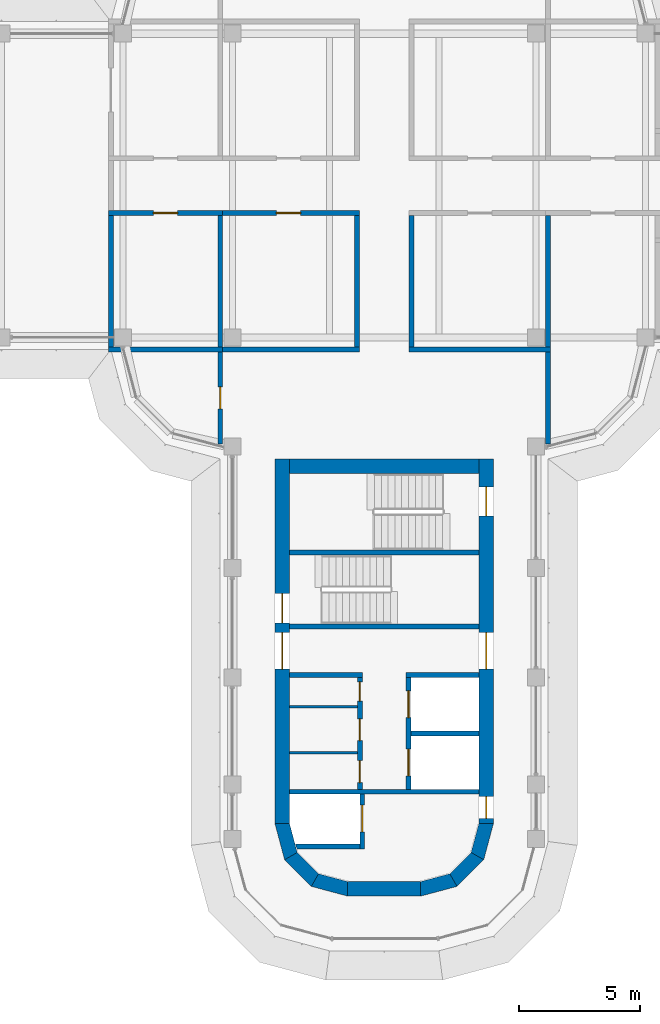
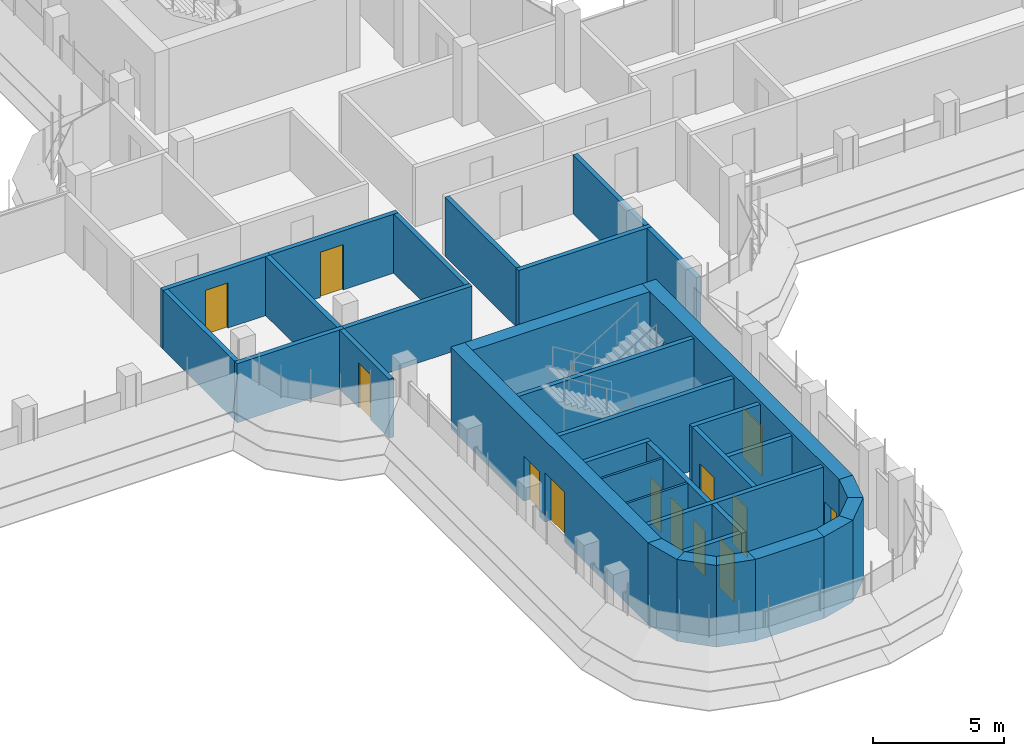
# One storey, part 13 of 19: 34 walls, 14 doors, 14 openings.
"""IFC4 building model written with IfcOpenShell, lengths in metres."""

from ifc_helpers import new_model, si_unit, direction, frame, frame_2d, origin, place, context, subcontext, project, spatial, polyline, rectangle, outline, extrude, material, layer, layer_set, type_object, element, fill, save


model = new_model("IFC4")

# Units and contexts
model_context = context("Model", 3, precision=1e-05, world=origin(), true_north=direction((0.0, 1.0)))
body_context = subcontext(model_context, "Body", "Model", "MODEL_VIEW")
ifc_project = project(units=[si_unit("LENGTHUNIT", "METRE"), si_unit("AREAUNIT", "SQUARE_METRE"), si_unit("VOLUMEUNIT", "CUBIC_METRE"), si_unit("PLANEANGLEUNIT", "RADIAN"), si_unit("MASSUNIT", "GRAM", prefix="KILO")], contexts=[model_context])

# Site, building, storey
site_placement = place(None, origin())
site = spatial("IfcSite", under=ifc_project, at=site_placement, CompositionType="ELEMENT")
building_placement = place(site_placement, origin())
building = spatial("IfcBuilding", under=site, at=building_placement, Name="Zarbagh Exchange Tower", CompositionType="ELEMENT")
storey_placement = place(building_placement, frame((0.0, 0.0, 237.199951171875)))
storey = spatial("IfcBuildingStorey", under=building, at=storey_placement, Name="L58", CompositionType="ELEMENT", Elevation=237.199951171875)

# Walls
ifc_material_1 = material(Name="Dense blockwork", Category="masonry")
ifc_layer_1 = layer(ifc_material_1, 0.10009765625)
ifc_layer_set_1 = layer_set([ifc_layer_1], Name="Core partition 100 mm blockwork")
wall_type_1 = type_object("IfcWallType", Name="Core partition 100 mm blockwork", PredefinedType="PARTITIONING", material=ifc_layer_set_1)
for number, where, z_axis, x_axis, name in (
    (1, (-1.10009765625, -23.35009765625, 0.0), (0.0, 0.0, 1.0), (-1.0, 0.0, 0.0), "South core partition wall CUT-E-500"),
    (2, (-1.10009765625, -21.449951171875, 0.0), (0.0, 0.0, 1.0), (-1.0, 0.0, 0.0), "South core partition wall CUT-E-690"),
):
    element("IfcWall", number, at=place(storey_placement, frame(where, z_axis=z_axis, x_axis=x_axis)), inside=storey, type_object=wall_type_1, Name=name, PredefinedType="PARTITIONING", context=body_context, shape_type="SweptSolid", body=[
        extrude(rectangle(XDim=2.7998046875, YDim=0.10009765625, at=frame_2d((1.39990234375, 0.0))), origin(), (0.0, 0.0, 1.0), 3.650146484375),
    ])

# Wall, opening, door
ifc_material_2 = material(Name="Fire-rated plasterboard partition")
ifc_layer_2 = layer(ifc_material_2, 0.199951171875)
ifc_layer_set_2 = layer_set([ifc_layer_2], Name="RATED PARTITION 200")
wall_type_2 = type_object("IfcWallType", Name="RATED PARTITION 200", PredefinedType="PARTITIONING", material=ifc_layer_set_2)
wall_1_placement = place(storey_placement, frame((-1.02490234375, -1.125, 0.0), z_axis=(0.0, 0.0, 1.0), x_axis=(-1.0, 0.0, 0.0)))
wall_1 = element("IfcWall", 3, at=wall_1_placement, inside=storey, type_object=wall_type_2, Name="Partition W-2507", PredefinedType="PARTITIONING", context=body_context, shape_type="SweptSolid", body=[
    extrude(rectangle(XDim=5.8251953125, YDim=0.199951171875, at=frame_2d((2.91259765625, 0.0))), origin(), (0.0, 0.0, 1.0), 2.745849609375),
])
opening_1_placement = place(wall_1_placement, frame((2.41259765625, 0.0, 0.0)))
opening_1 = element("IfcOpeningElement", 4, at=opening_1_placement, cuts=wall_1, Name="Opening D-2512", PredefinedType="OPENING", context=body_context, shape_type="SweptSolid", body=[
    extrude(rectangle(XDim=1.0, YDim=2.10009765625, at=frame_2d((0.5, 1.050048828125))), frame((0.0, 0.10986328125, 0.0), z_axis=(0.0, -1.0, 0.0), x_axis=(1.0, 0.0, 0.0)), (0.0, 0.0, 1.0), 0.219970703125),
])
ifc_material_3 = material(Name="Steel door set", Category="steel")
door_type_1 = type_object("IfcDoorType", Name="FIRE DOOR 1000 X 2100 FD30S", OperationType="NOTDEFINED", PredefinedType="DOOR", material=ifc_material_3)
door_1_placement = place(opening_1_placement, origin())
door_1 = element("IfcDoor", 5, at=door_1_placement, inside=storey, type_object=door_type_1, Name="Door D-2512", OperationType="SINGLE_SWING_RIGHT", OverallHeight=2.10009765625, OverallWidth=1.0, PredefinedType="DOOR", context=body_context, shape_type="SweptSolid", body=[
    extrude(rectangle(XDim=1.0, YDim=2.10009765625, at=frame_2d((0.5, 1.050048828125))), frame((0.0, 0.02490234375, 0.0), z_axis=(0.0, -1.0, 0.0), x_axis=(1.0, 0.0, 0.0)), (0.0, 0.0, 1.0), 0.050048828125),
])
fill(opening_1, door_1)

wall_2_placement = place(storey_placement, frame((-6.64990234375, -1.125, 0.0), z_axis=(0.0, 0.0, 1.0), x_axis=(-1.0, 0.0, 0.0)))
wall_2 = element("IfcWall", 6, at=wall_2_placement, inside=storey, type_object=wall_type_2, Name="Partition W-2508", PredefinedType="PARTITIONING", context=body_context, shape_type="SweptSolid", body=[
    extrude(rectangle(XDim=4.7001953125, YDim=0.199951171875, at=frame_2d((2.35009765625, 0.0))), origin(), (0.0, 0.0, 1.0), 2.745849609375),
])
opening_2_placement = place(wall_2_placement, frame((1.85009765625, 0.0, 0.0)))
opening_2 = element("IfcOpeningElement", 7, at=opening_2_placement, cuts=wall_2, Name="Opening D-2513", PredefinedType="OPENING", context=body_context, shape_type="SweptSolid", body=[
    extrude(rectangle(XDim=1.0, YDim=2.10009765625, at=frame_2d((0.5, 1.050048828125))), frame((0.0, 0.10986328125, 0.0), z_axis=(0.0, -1.0, 0.0), x_axis=(1.0, 0.0, 0.0)), (0.0, 0.0, 1.0), 0.219970703125),
])
door_2_placement = place(opening_2_placement, origin())
door_2 = element("IfcDoor", 8, at=door_2_placement, inside=storey, type_object=door_type_1, Name="Door D-2513", OperationType="SINGLE_SWING_RIGHT", OverallHeight=2.10009765625, OverallWidth=1.0, PredefinedType="DOOR", context=body_context, shape_type="SweptSolid", body=[
    extrude(rectangle(XDim=1.0, YDim=2.10009765625, at=frame_2d((0.5, 1.050048828125))), frame((0.0, 0.02490234375, 0.0), z_axis=(0.0, -1.0, 0.0), x_axis=(1.0, 0.0, 0.0)), (0.0, 0.0, 1.0), 0.050048828125),
])
fill(opening_2, door_2)

# Walls
for number, where, z_axis, x_axis, name in (
    (9, (1.125, -6.64990234375, 0.0), (0.0, 0.0, 1.0), (0.0, 1.0, 0.0), "Partition W-2512"),
    (10, (-1.125, -6.64990234375, 0.0), (0.0, 0.0, 1.0), (0.0, 1.0, 0.0), "Partition W-2513"),
):
    element("IfcWall", number, at=place(storey_placement, frame(where, z_axis=z_axis, x_axis=x_axis)), inside=storey, type_object=wall_type_2, Name=name, PredefinedType="PARTITIONING", context=body_context, shape_type="SweptSolid", body=[
        extrude(rectangle(XDim=5.4248046875, YDim=0.199951171875, at=frame_2d((2.71240234375, 0.0))), origin(), (0.0, 0.0, 1.0), 2.745849609375),
    ])
wall_3_placement = place(storey_placement, frame((1.02490234375, -6.75, 0.0), z_axis=(0.0, 0.0, 1.0), x_axis=(1.0, 0.0, 0.0)))
element("IfcWall", 11, at=wall_3_placement, inside=storey, type_object=wall_type_2, Name="Partition W-2518", PredefinedType="PARTITIONING", context=body_context, shape_type="SweptSolid", body=[
    extrude(rectangle(XDim=5.8251953125, YDim=0.199951171875, at=frame_2d((2.91259765625, 0.0))), origin(), (0.0, 0.0, 1.0), 2.745849609375),
])
wall_4_placement = place(storey_placement, frame((6.75, -10.6298828125, 0.0), z_axis=(0.0, 0.0, 1.0), x_axis=(0.0, 1.0, 0.0)))
element("IfcWall", 12, at=wall_4_placement, inside=storey, type_object=wall_type_2, Name="Partition W-2519", PredefinedType="PARTITIONING", context=body_context, shape_type="SweptSolid", body=[
    extrude(rectangle(XDim=3.77978515625, YDim=0.199951171875, at=frame_2d((1.889892578125, 0.0))), origin(), (0.0, 0.0, 1.0), 2.745849609375),
])
wall_5_placement = place(storey_placement, frame((-6.85009765625, -6.75, 0.0), z_axis=(0.0, 0.0, 1.0), x_axis=(1.0, 0.0, 0.0)))
element("IfcWall", 13, at=wall_5_placement, inside=storey, type_object=wall_type_2, Name="Partition W-2520", PredefinedType="PARTITIONING", context=body_context, shape_type="SweptSolid", body=[
    extrude(rectangle(XDim=5.8251953125, YDim=0.199951171875, at=frame_2d((2.91259765625, 0.0))), origin(), (0.0, 0.0, 1.0), 2.745849609375),
])

# Wall, opening, door
wall_6_placement = place(storey_placement, frame((-6.75, -10.6298828125, 0.0), z_axis=(0.0, 0.0, 1.0), x_axis=(0.0, 1.0, 0.0)))
wall_6 = element("IfcWall", 14, at=wall_6_placement, inside=storey, type_object=wall_type_2, Name="Partition W-2521", PredefinedType="PARTITIONING", context=body_context, shape_type="SweptSolid", body=[
    extrude(rectangle(XDim=3.77978515625, YDim=0.199951171875, at=frame_2d((1.889892578125, 0.0))), origin(), (0.0, 0.0, 1.0), 2.745849609375),
])
opening_3_placement = place(wall_6_placement, frame((1.43994140625, 0.0, 0.0)))
opening_3 = element("IfcOpeningElement", 15, at=opening_3_placement, cuts=wall_6, Name="Opening D-2514", PredefinedType="OPENING", context=body_context, shape_type="SweptSolid", body=[
    extrude(rectangle(XDim=0.89990234375, YDim=2.10009765625, at=frame_2d((0.449951171875, 1.050048828125))), frame((0.0, 0.10986328125, 0.0), z_axis=(0.0, -1.0, 0.0), x_axis=(1.0, 0.0, 0.0)), (0.0, 0.0, 1.0), 0.219970703125),
])
ifc_material_4 = material(Name="Timber door leaf", Category="wood")
door_type_2 = type_object("IfcDoorType", Name="DOOR 900 X 2100", OperationType="NOTDEFINED", PredefinedType="DOOR", material=ifc_material_4)
door_3_placement = place(opening_3_placement, origin())
door_3 = element("IfcDoor", 16, at=door_3_placement, inside=storey, type_object=door_type_2, Name="Door D-2514", OperationType="SINGLE_SWING_RIGHT", OverallHeight=2.10009765625, OverallWidth=0.89990234375, PredefinedType="DOOR", context=body_context, shape_type="SweptSolid", body=[
    extrude(rectangle(XDim=0.89990234375, YDim=2.10009765625, at=frame_2d((0.449951171875, 1.050048828125))), frame((0.0, 0.02490234375, 0.0), z_axis=(0.0, -1.0, 0.0), x_axis=(1.0, 0.0, 0.0)), (0.0, 0.0, 1.0), 0.050048828125),
])
fill(opening_3, door_3)

# Walls
for number, where, z_axis, x_axis, name in (
    (17, (6.75, -6.64990234375, 0.0), (0.0, 0.0, 1.0), (0.0, 1.0, 0.0), "Partition W-2529"),
    (18, (-6.75, -6.64990234375, 0.0), (0.0, 0.0, 1.0), (0.0, 1.0, 0.0), "Partition W-2532"),
):
    element("IfcWall", number, at=place(storey_placement, frame(where, z_axis=z_axis, x_axis=x_axis)), inside=storey, type_object=wall_type_2, Name=name, PredefinedType="PARTITIONING", context=body_context, shape_type="SweptSolid", body=[
        extrude(rectangle(XDim=5.4248046875, YDim=0.199951171875, at=frame_2d((2.71240234375, 0.0))), origin(), (0.0, 0.0, 1.0), 2.745849609375),
    ])
wall_7_placement = place(storey_placement, frame((-11.35009765625, -6.75, 0.0), z_axis=(0.0, 0.0, 1.0), x_axis=(1.0, 0.0, 0.0)))
element("IfcWall", 19, at=wall_7_placement, inside=storey, type_object=wall_type_2, Name="Partition W-2533", PredefinedType="PARTITIONING", context=body_context, shape_type="SweptSolid", body=[
    extrude(rectangle(XDim=4.7001953125, YDim=0.199951171875, at=frame_2d((2.35009765625, 0.0))), origin(), (0.0, 0.0, 1.0), 2.745849609375),
])
wall_8_placement = place(storey_placement, frame((-11.25, -6.64990234375, 0.0), z_axis=(0.0, 0.0, 1.0), x_axis=(0.0, 1.0, 0.0)))
element("IfcWall", 20, at=wall_8_placement, inside=storey, type_object=wall_type_2, Name="Partition W-2534", PredefinedType="PARTITIONING", context=body_context, shape_type="SweptSolid", body=[
    extrude(rectangle(XDim=5.4248046875, YDim=0.199951171875, at=frame_2d((2.71240234375, 0.0))), origin(), (0.0, 0.0, 1.0), 2.745849609375),
])
ifc_material_5 = material(Name="Concrete C50/60", Category="concrete")
ifc_layer_3 = layer(ifc_material_5, 0.60009765625)
ifc_layer_set_3 = layer_set([ifc_layer_3], Name="RC core corner wall 600 C50/60")
wall_type_3 = type_object("IfcWallType", Name="RC core corner wall 600 C50/60", PredefinedType="SHEAR", material=ifc_layer_set_3)
wall_9_placement = place(storey_placement, origin())
element("IfcWall", 21, at=wall_9_placement, inside=storey, type_object=wall_type_3, Name="CW8 core S corner W", PredefinedType="SHEAR", context=body_context, shape_type="SweptSolid", body=[
    extrude(outline(polyline([(-4.5, -26.25), (-4.09814453125, -27.75), (-3.57861328125, -27.449951171875), (-3.89990234375, -26.25), (-4.5, -26.25)])), origin(), (0.0, 0.0, 1.0), 3.800048828125),
])
wall_10_placement = place(storey_placement, origin())
element("IfcWall", 22, at=wall_10_placement, inside=storey, type_object=wall_type_3, Name="CW8 core S corner W", PredefinedType="SHEAR", context=body_context, shape_type="SweptSolid", body=[
    extrude(outline(polyline([(-4.09814453125, -27.75), (-3.0, -28.84814453125), (-2.699951171875, -28.32861328125), (-3.57861328125, -27.449951171875), (-4.09814453125, -27.75)])), origin(), (0.0, 0.0, 1.0), 3.800048828125),
])
wall_11_placement = place(storey_placement, origin())
element("IfcWall", 23, at=wall_11_placement, inside=storey, type_object=wall_type_3, Name="CW8 core S corner W", PredefinedType="SHEAR", context=body_context, shape_type="SweptSolid", body=[
    extrude(outline(polyline([(-3.0, -28.84814453125), (-1.5, -29.25), (-1.5, -28.64990234375), (-2.699951171875, -28.32861328125), (-3.0, -28.84814453125)])), origin(), (0.0, 0.0, 1.0), 3.800048828125),
])
wall_12_placement = place(storey_placement, origin())
element("IfcWall", 24, at=wall_12_placement, inside=storey, type_object=wall_type_3, Name="CW8 core S corner E", PredefinedType="SHEAR", context=body_context, shape_type="SweptSolid", body=[
    extrude(outline(polyline([(4.5, -26.25), (4.09814453125, -27.75), (3.57861328125, -27.449951171875), (3.89990234375, -26.25), (4.5, -26.25)])), origin(), (0.0, 0.0, 1.0), 3.800048828125),
])
wall_13_placement = place(storey_placement, origin())
element("IfcWall", 25, at=wall_13_placement, inside=storey, type_object=wall_type_3, Name="CW8 core S corner E", PredefinedType="SHEAR", context=body_context, shape_type="SweptSolid", body=[
    extrude(outline(polyline([(4.09814453125, -27.75), (3.0, -28.84814453125), (2.699951171875, -28.32861328125), (3.57861328125, -27.449951171875), (4.09814453125, -27.75)])), origin(), (0.0, 0.0, 1.0), 3.800048828125),
])
wall_14_placement = place(storey_placement, origin())
element("IfcWall", 26, at=wall_14_placement, inside=storey, type_object=wall_type_3, Name="CW8 core S corner E", PredefinedType="SHEAR", context=body_context, shape_type="SweptSolid", body=[
    extrude(outline(polyline([(3.0, -28.84814453125), (1.5, -29.25), (1.5, -28.64990234375), (2.699951171875, -28.32861328125), (3.0, -28.84814453125)])), origin(), (0.0, 0.0, 1.0), 3.800048828125),
])

# Wall, openings, doors
ifc_layer_4 = layer(ifc_material_5, 0.60009765625)
ifc_layer_set_4 = layer_set([ifc_layer_4], Name="RC core wall 600 C50/60")
wall_type_4 = type_object("IfcWallType", Name="RC core wall 600 C50/60", PredefinedType="SHEAR", material=ifc_layer_set_4)
wall_15_placement = place(storey_placement, frame((-4.199951171875, -11.25, 0.0), z_axis=(0.0, 0.0, 1.0), x_axis=(0.0, -1.0, 0.0)))
wall_15 = element("IfcWall", 27, at=wall_15_placement, inside=storey, type_object=wall_type_4, Name="CW7 core S W", PredefinedType="SHEAR", context=body_context, shape_type="SweptSolid", body=[
    extrude(rectangle(XDim=15.0, YDim=0.60009765625, at=frame_2d((7.5, 0.0))), origin(), (0.0, 0.0, 1.0), 3.800048828125),
])
opening_4_placement = place(wall_15_placement, frame((7.14990234375, 0.0, 0.0)))
opening_4 = element("IfcOpeningElement", 28, at=opening_4_placement, cuts=wall_15, Name="Opening CD1-1500", PredefinedType="OPENING", context=body_context, shape_type="SweptSolid", body=[
    extrude(rectangle(XDim=1.5, YDim=2.300048828125, at=frame_2d((0.75, 1.14990234375))), frame((0.0, 0.31005859375, 0.0), z_axis=(0.0, -1.0, 0.0), x_axis=(1.0, 0.0, 0.0)), (0.0, 0.0, 1.0), 0.6201171875),
])
opening_5_placement = place(wall_15_placement, frame((5.550048828125, 0.0, 0.0)))
opening_5 = element("IfcOpeningElement", 29, at=opening_5_placement, cuts=wall_15, Name="Opening SD1-1200", PredefinedType="OPENING", context=body_context, shape_type="SweptSolid", body=[
    extrude(rectangle(XDim=1.199951171875, YDim=2.10009765625, at=frame_2d((0.60009765625, 1.050048828125))), frame((0.0, 0.31005859375, 0.0), z_axis=(0.0, -1.0, 0.0), x_axis=(1.0, 0.0, 0.0)), (0.0, 0.0, 1.0), 0.6201171875),
])
ifc_material_6 = material(Name="Steel", Category="steel")
door_type_3 = type_object("IfcDoorType", Name="Exit stair door 1200 x 2100", OperationType="NOTDEFINED", PredefinedType="DOOR", material=ifc_material_6)
door_4_placement = place(opening_5_placement, origin())
door_4 = element("IfcDoor", 30, at=door_4_placement, inside=storey, type_object=door_type_3, Name="South core stair door ST1", OperationType="SINGLE_SWING_RIGHT", OverallHeight=2.10009765625, OverallWidth=1.199951171875, PredefinedType="DOOR", context=body_context, shape_type="SweptSolid", body=[
    extrude(rectangle(XDim=1.199951171875, YDim=2.10009765625, at=frame_2d((0.60009765625, 1.050048828125))), frame((0.0, 0.02490234375, 0.0), z_axis=(0.0, -1.0, 0.0), x_axis=(1.0, 0.0, 0.0)), (0.0, 0.0, 1.0), 0.050048828125),
])
fill(opening_5, door_4)
door_type_4 = type_object("IfcDoorType", Name="Lift lobby double door 1500 x 2300", OperationType="NOTDEFINED", PredefinedType="DOOR", material=ifc_material_6)
door_5_placement = place(opening_4_placement, origin())
door_5 = element("IfcDoor", 31, at=door_5_placement, inside=storey, type_object=door_type_4, Name="South core lift lobby door LOBBY-E", OperationType="DOUBLE_DOOR_SINGLE_SWING", OverallHeight=2.300048828125, OverallWidth=1.5, PredefinedType="DOOR", context=body_context, shape_type="SweptSolid", body=[
    extrude(rectangle(XDim=1.5, YDim=2.300048828125, at=frame_2d((0.75, 1.14990234375))), frame((0.0, 0.02490234375, 0.0), z_axis=(0.0, -1.0, 0.0), x_axis=(1.0, 0.0, 0.0)), (0.0, 0.0, 1.0), 0.050048828125),
])
fill(opening_4, door_5)

wall_16_placement = place(storey_placement, frame((4.199951171875, -11.25, 0.0), z_axis=(0.0, 0.0, 1.0), x_axis=(0.0, -1.0, 0.0)))
wall_16 = element("IfcWall", 32, at=wall_16_placement, inside=storey, type_object=wall_type_4, Name="CW7 core S E", PredefinedType="SHEAR", context=body_context, shape_type="SweptSolid", body=[
    extrude(rectangle(XDim=15.0, YDim=0.60009765625, at=frame_2d((7.5, 0.0))), origin(), (0.0, 0.0, 1.0), 3.800048828125),
])
opening_6_placement = place(wall_16_placement, frame((7.14990234375, 0.0, 0.0)))
opening_6 = element("IfcOpeningElement", 33, at=opening_6_placement, cuts=wall_16, Name="Opening CD1-1500", PredefinedType="OPENING", context=body_context, shape_type="SweptSolid", body=[
    extrude(rectangle(XDim=1.5, YDim=2.300048828125, at=frame_2d((0.75, 1.14990234375))), frame((0.0, 0.31005859375, 0.0), z_axis=(0.0, -1.0, 0.0), x_axis=(1.0, 0.0, 0.0)), (0.0, 0.0, 1.0), 0.6201171875),
])
opening_7_placement = place(wall_16_placement, frame((13.89990234375, 0.0, 0.0)))
opening_7 = element("IfcOpeningElement", 34, at=opening_7_placement, cuts=wall_16, Name="Opening CD2-900", PredefinedType="OPENING", context=body_context, shape_type="SweptSolid", body=[
    extrude(rectangle(XDim=0.89990234375, YDim=2.10009765625, at=frame_2d((0.449951171875, 1.050048828125))), frame((0.0, 0.31005859375, 0.0), z_axis=(0.0, -1.0, 0.0), x_axis=(1.0, 0.0, 0.0)), (0.0, 0.0, 1.0), 0.6201171875),
])
opening_8_placement = place(wall_16_placement, frame((1.14990234375, 0.0, 0.0)))
opening_8 = element("IfcOpeningElement", 35, at=opening_8_placement, cuts=wall_16, Name="Opening SD1-1200", PredefinedType="OPENING", context=body_context, shape_type="SweptSolid", body=[
    extrude(rectangle(XDim=1.199951171875, YDim=2.10009765625, at=frame_2d((0.60009765625, 1.050048828125))), frame((0.0, 0.31005859375, 0.0), z_axis=(0.0, -1.0, 0.0), x_axis=(1.0, 0.0, 0.0)), (0.0, 0.0, 1.0), 0.6201171875),
])
door_6_placement = place(opening_8_placement, origin())
door_6 = element("IfcDoor", 36, at=door_6_placement, inside=storey, type_object=door_type_3, Name="South core stair door ST2", OperationType="SINGLE_SWING_LEFT", OverallHeight=2.10009765625, OverallWidth=1.199951171875, PredefinedType="DOOR", context=body_context, shape_type="SweptSolid", body=[
    extrude(rectangle(XDim=1.199951171875, YDim=2.10009765625, at=frame_2d((0.60009765625, 1.050048828125))), frame((0.0, 0.02490234375, 0.0), z_axis=(0.0, -1.0, 0.0), x_axis=(1.0, 0.0, 0.0)), (0.0, 0.0, 1.0), 0.050048828125),
])
fill(opening_8, door_6)
door_type_5 = type_object("IfcDoorType", Name="Firefighting lobby door 900 x 2100", OperationType="NOTDEFINED", PredefinedType="DOOR", material=ifc_material_6)
door_7_placement = place(opening_7_placement, origin())
door_7 = element("IfcDoor", 37, at=door_7_placement, inside=storey, type_object=door_type_5, Name="South core firefighting lobby door FF-W", OperationType="SINGLE_SWING_RIGHT", OverallHeight=2.10009765625, OverallWidth=0.89990234375, PredefinedType="DOOR", context=body_context, shape_type="SweptSolid", body=[
    extrude(rectangle(XDim=0.89990234375, YDim=2.10009765625, at=frame_2d((0.449951171875, 1.050048828125))), frame((0.0, 0.02490234375, 0.0), z_axis=(0.0, -1.0, 0.0), x_axis=(1.0, 0.0, 0.0)), (0.0, 0.0, 1.0), 0.050048828125),
])
fill(opening_7, door_7)
door_8_placement = place(opening_6_placement, origin())
door_8 = element("IfcDoor", 38, at=door_8_placement, inside=storey, type_object=door_type_4, Name="South core lift lobby door LOBBY-W", OperationType="DOUBLE_DOOR_SINGLE_SWING", OverallHeight=2.300048828125, OverallWidth=1.5, PredefinedType="DOOR", context=body_context, shape_type="SweptSolid", body=[
    extrude(rectangle(XDim=1.5, YDim=2.300048828125, at=frame_2d((0.75, 1.14990234375))), frame((0.0, 0.02490234375, 0.0), z_axis=(0.0, -1.0, 0.0), x_axis=(1.0, 0.0, 0.0)), (0.0, 0.0, 1.0), 0.050048828125),
])
fill(opening_6, door_8)

# Walls
wall_17_placement = place(storey_placement, frame((-3.89990234375, -11.550048828125, 0.0), z_axis=(0.0, 0.0, 1.0), x_axis=(1.0, 0.0, 0.0)))
element("IfcWall", 39, at=wall_17_placement, inside=storey, type_object=wall_type_4, Name="CW7 core S inner end", PredefinedType="SHEAR", context=body_context, shape_type="SweptSolid", body=[
    extrude(rectangle(XDim=7.7998046875, YDim=0.60009765625, at=frame_2d((3.89990234375, 0.0))), origin(), (0.0, 0.0, 1.0), 3.800048828125),
])
wall_18_placement = place(storey_placement, frame((-1.5, -28.949951171875, 0.0), z_axis=(0.0, 0.0, 1.0), x_axis=(1.0, 0.0, 0.0)))
element("IfcWall", 40, at=wall_18_placement, inside=storey, type_object=wall_type_4, Name="CW7 core S outer end", PredefinedType="SHEAR", context=body_context, shape_type="SweptSolid", body=[
    extrude(rectangle(XDim=3.0, YDim=0.60009765625, at=frame_2d((1.5, 0.0))), origin(), (0.0, 0.0, 1.0), 3.800048828125),
])
ifc_layer_5 = layer(ifc_material_1, 0.199951171875)
ifc_layer_set_5 = layer_set([ifc_layer_5], Name="Shaft wall 200 mm blockwork")
wall_type_5 = type_object("IfcWallType", Name="Shaft wall 200 mm blockwork", PredefinedType="PARTITIONING", material=ifc_layer_set_5)
wall_19_placement = place(storey_placement, frame((3.89990234375, -20.14990234375, 0.0), z_axis=(0.0, 0.0, 1.0), x_axis=(-1.0, 0.0, 0.0)))
element("IfcWall", 41, at=wall_19_placement, inside=storey, type_object=wall_type_5, Name="South core shaft wall AB-W", PredefinedType="PARTITIONING", context=body_context, shape_type="SweptSolid", body=[
    extrude(rectangle(XDim=3.0, YDim=0.199951171875, at=frame_2d((1.5, 0.0))), origin(), (0.0, 0.0, 1.0), 3.650146484375),
])

# Wall, openings, doors
wall_20_placement = place(storey_placement, frame((1.0, -24.85009765625, 0.0), z_axis=(0.0, 0.0, 1.0), x_axis=(0.0, 1.0, 0.0)))
wall_20 = element("IfcWall", 42, at=wall_20_placement, inside=storey, type_object=wall_type_5, Name="South core shaft wall LW-W", PredefinedType="PARTITIONING", context=body_context, shape_type="SweptSolid", body=[
    extrude(rectangle(XDim=4.60009765625, YDim=0.199951171875, at=frame_2d((2.300048828125, 0.0))), origin(), (0.0, 0.0, 1.0), 3.650146484375),
])
opening_9_placement = place(wall_20_placement, frame((0.550048828125, 0.0, 0.0)))
opening_9 = element("IfcOpeningElement", 43, at=opening_9_placement, cuts=wall_20, Name="Opening LD-1100", PredefinedType="OPENING", context=body_context, shape_type="SweptSolid", body=[
    extrude(rectangle(XDim=1.10009765625, YDim=2.300048828125, at=frame_2d((0.550048828125, 1.14990234375))), frame((0.0, 0.10986328125, 0.0), z_axis=(0.0, -1.0, 0.0), x_axis=(1.0, 0.0, 0.0)), (0.0, 0.0, 1.0), 0.219970703125),
])
opening_10_placement = place(wall_20_placement, frame((2.949951171875, 0.0, 0.0)))
opening_10 = element("IfcOpeningElement", 44, at=opening_10_placement, cuts=wall_20, Name="Opening LD-1100", PredefinedType="OPENING", context=body_context, shape_type="SweptSolid", body=[
    extrude(rectangle(XDim=1.10009765625, YDim=2.300048828125, at=frame_2d((0.550048828125, 1.14990234375))), frame((0.0, 0.10986328125, 0.0), z_axis=(0.0, -1.0, 0.0), x_axis=(1.0, 0.0, 0.0)), (0.0, 0.0, 1.0), 0.219970703125),
])
ifc_material_7 = material(Name="Stainless steel", Category="steel")
door_type_6 = type_object("IfcDoorType", Name="Lift landing door 1100 x 2300", OperationType="NOTDEFINED", PredefinedType="DOOR", material=ifc_material_7)
door_9_placement = place(opening_9_placement, origin())
door_9 = element("IfcDoor", 45, at=door_9_placement, inside=storey, type_object=door_type_6, Name="South core lift landing door LD-P-S1", OperationType="DOUBLE_DOOR_SLIDING", OverallHeight=2.300048828125, OverallWidth=1.10009765625, PredefinedType="DOOR", context=body_context, shape_type="SweptSolid", body=[
    extrude(rectangle(XDim=1.10009765625, YDim=2.300048828125, at=frame_2d((0.550048828125, 1.14990234375))), frame((0.0, 0.02490234375, 0.0), z_axis=(0.0, -1.0, 0.0), x_axis=(1.0, 0.0, 0.0)), (0.0, 0.0, 1.0), 0.050048828125),
])
fill(opening_9, door_9)
door_10_placement = place(opening_10_placement, origin())
door_10 = element("IfcDoor", 46, at=door_10_placement, inside=storey, type_object=door_type_6, Name="South core lift landing door LD-P-S2", OperationType="DOUBLE_DOOR_SLIDING", OverallHeight=2.300048828125, OverallWidth=1.10009765625, PredefinedType="DOOR", context=body_context, shape_type="SweptSolid", body=[
    extrude(rectangle(XDim=1.10009765625, YDim=2.300048828125, at=frame_2d((0.550048828125, 1.14990234375))), frame((0.0, 0.02490234375, 0.0), z_axis=(0.0, -1.0, 0.0), x_axis=(1.0, 0.0, 0.0)), (0.0, 0.0, 1.0), 0.050048828125),
])
fill(opening_10, door_10)

# Wall
wall_21_placement = place(storey_placement, frame((-0.89990234375, -20.14990234375, 0.0), z_axis=(0.0, 0.0, 1.0), x_axis=(-1.0, 0.0, 0.0)))
element("IfcWall", 47, at=wall_21_placement, inside=storey, type_object=wall_type_5, Name="South core shaft wall AB-E", PredefinedType="PARTITIONING", context=body_context, shape_type="SweptSolid", body=[
    extrude(rectangle(XDim=3.0, YDim=0.199951171875, at=frame_2d((1.5, 0.0))), origin(), (0.0, 0.0, 1.0), 3.650146484375),
])

# Wall, openings, doors
wall_22_placement = place(storey_placement, frame((-1.0, -24.85009765625, 0.0), z_axis=(0.0, 0.0, 1.0), x_axis=(0.0, 1.0, 0.0)))
wall_22 = element("IfcWall", 48, at=wall_22_placement, inside=storey, type_object=wall_type_5, Name="South core shaft wall LW-E", PredefinedType="PARTITIONING", context=body_context, shape_type="SweptSolid", body=[
    extrude(rectangle(XDim=4.60009765625, YDim=0.199951171875, at=frame_2d((2.300048828125, 0.0))), origin(), (0.0, 0.0, 1.0), 3.650146484375),
])
opening_11_placement = place(wall_22_placement, frame((0.27490234375, 0.0, 0.0)))
opening_11 = element("IfcOpeningElement", 49, at=opening_11_placement, cuts=wall_22, Name="Opening CD3-900", PredefinedType="OPENING", context=body_context, shape_type="SweptSolid", body=[
    extrude(rectangle(XDim=0.89990234375, YDim=2.10009765625, at=frame_2d((0.449951171875, 1.050048828125))), frame((0.0, 0.10986328125, 0.0), z_axis=(0.0, -1.0, 0.0), x_axis=(1.0, 0.0, 0.0)), (0.0, 0.0, 1.0), 0.219970703125),
])
opening_12_placement = place(wall_22_placement, frame((2.0, 0.0, 0.0)))
opening_12 = element("IfcOpeningElement", 50, at=opening_12_placement, cuts=wall_22, Name="Opening CD3-900", PredefinedType="OPENING", context=body_context, shape_type="SweptSolid", body=[
    extrude(rectangle(XDim=0.89990234375, YDim=2.10009765625, at=frame_2d((0.449951171875, 1.050048828125))), frame((0.0, 0.10986328125, 0.0), z_axis=(0.0, -1.0, 0.0), x_axis=(1.0, 0.0, 0.0)), (0.0, 0.0, 1.0), 0.219970703125),
])
opening_13_placement = place(wall_22_placement, frame((3.625, 0.0, 0.0)))
opening_13 = element("IfcOpeningElement", 51, at=opening_13_placement, cuts=wall_22, Name="Opening CD3-800", PredefinedType="OPENING", context=body_context, shape_type="SweptSolid", body=[
    extrude(rectangle(XDim=0.800048828125, YDim=2.10009765625, at=frame_2d((0.39990234375, 1.050048828125))), frame((0.0, 0.10986328125, 0.0), z_axis=(0.0, -1.0, 0.0), x_axis=(1.0, 0.0, 0.0)), (0.0, 0.0, 1.0), 0.219970703125),
])
door_type_7 = type_object("IfcDoorType", Name="Core room door 800 x 2100", OperationType="NOTDEFINED", PredefinedType="DOOR", material=ifc_material_6)
door_11_placement = place(opening_13_placement, origin())
door_11 = element("IfcDoor", 52, at=door_11_placement, inside=storey, type_object=door_type_7, Name="South core IT room door RD-E-2", OperationType="SINGLE_SWING_LEFT", OverallHeight=2.10009765625, OverallWidth=0.800048828125, PredefinedType="DOOR", context=body_context, shape_type="SweptSolid", body=[
    extrude(rectangle(XDim=0.800048828125, YDim=2.10009765625, at=frame_2d((0.39990234375, 1.050048828125))), frame((0.0, 0.02490234375, 0.0), z_axis=(0.0, -1.0, 0.0), x_axis=(1.0, 0.0, 0.0)), (0.0, 0.0, 1.0), 0.050048828125),
])
fill(opening_13, door_11)
door_type_8 = type_object("IfcDoorType", Name="Core room door 900 x 2100", OperationType="NOTDEFINED", PredefinedType="DOOR", material=ifc_material_6)
door_12_placement = place(opening_11_placement, origin())
door_12 = element("IfcDoor", 53, at=door_12_placement, inside=storey, type_object=door_type_8, Name="South core Cleaner's store door RD-E-0", OperationType="SINGLE_SWING_LEFT", OverallHeight=2.10009765625, OverallWidth=0.89990234375, PredefinedType="DOOR", context=body_context, shape_type="SweptSolid", body=[
    extrude(rectangle(XDim=0.89990234375, YDim=2.10009765625, at=frame_2d((0.449951171875, 1.050048828125))), frame((0.0, 0.02490234375, 0.0), z_axis=(0.0, -1.0, 0.0), x_axis=(1.0, 0.0, 0.0)), (0.0, 0.0, 1.0), 0.050048828125),
])
fill(opening_11, door_12)
door_13_placement = place(opening_12_placement, origin())
door_13 = element("IfcDoor", 54, at=door_13_placement, inside=storey, type_object=door_type_8, Name="South core Pantry door RD-E-1", OperationType="SINGLE_SWING_RIGHT", OverallHeight=2.10009765625, OverallWidth=0.89990234375, PredefinedType="DOOR", context=body_context, shape_type="SweptSolid", body=[
    extrude(rectangle(XDim=0.89990234375, YDim=2.10009765625, at=frame_2d((0.449951171875, 1.050048828125))), frame((0.0, 0.02490234375, 0.0), z_axis=(0.0, -1.0, 0.0), x_axis=(1.0, 0.0, 0.0)), (0.0, 0.0, 1.0), 0.050048828125),
])
fill(opening_12, door_13)

# Walls
wall_23_placement = place(storey_placement, frame((3.89990234375, -22.550048828125, 0.0), z_axis=(0.0, 0.0, 1.0), x_axis=(-1.0, 0.0, 0.0)))
element("IfcWall", 55, at=wall_23_placement, inside=storey, type_object=wall_type_5, Name="South core shaft wall TR-W", PredefinedType="PARTITIONING", context=body_context, shape_type="SweptSolid", body=[
    extrude(rectangle(XDim=2.7998046875, YDim=0.199951171875, at=frame_2d((1.39990234375, 0.0))), origin(), (0.0, 0.0, 1.0), 3.650146484375),
])
ifc_material_8 = material(Name="Concrete C40/50", Category="concrete")
ifc_layer_6 = layer(ifc_material_8, 0.199951171875)
ifc_layer_set_6 = layer_set([ifc_layer_6], Name="Stair enclosure wall 200 mm RC C40/50")
wall_type_6 = type_object("IfcWallType", Name="Stair enclosure wall 200 mm RC C40/50", PredefinedType="SHEAR", material=ifc_layer_set_6)
wall_24_placement = place(storey_placement, frame((3.89990234375, -24.949951171875, 0.0), z_axis=(0.0, 0.0, 1.0), x_axis=(-1.0, 0.0, 0.0)))
element("IfcWall", 56, at=wall_24_placement, inside=storey, type_object=wall_type_6, Name="South core lift shaft wall FFA", PredefinedType="SHEAR", context=body_context, shape_type="SweptSolid", body=[
    extrude(rectangle(XDim=7.7998046875, YDim=0.199951171875, at=frame_2d((3.89990234375, 0.0))), origin(), (0.0, 0.0, 1.0), 3.650146484375),
])

# Wall, opening, door
wall_25_placement = place(storey_placement, frame((-0.89990234375, -27.300048828125, 0.0), z_axis=(0.0, 0.0, 1.0), x_axis=(0.0, 1.0, 0.0)))
wall_25 = element("IfcWall", 57, at=wall_25_placement, inside=storey, type_object=wall_type_6, Name="South core lift shaft wall FFL", PredefinedType="SHEAR", context=body_context, shape_type="SweptSolid", body=[
    extrude(rectangle(XDim=2.25, YDim=0.199951171875, at=frame_2d((1.125, 0.0))), origin(), (0.0, 0.0, 1.0), 3.650146484375),
])
opening_14_placement = place(wall_25_placement, frame((0.699951171875, 0.0, 0.0)))
opening_14 = element("IfcOpeningElement", 58, at=opening_14_placement, cuts=wall_25, Name="Opening LD-1100", PredefinedType="OPENING", context=body_context, shape_type="SweptSolid", body=[
    extrude(rectangle(XDim=1.10009765625, YDim=2.300048828125, at=frame_2d((0.550048828125, 1.14990234375))), frame((0.0, 0.10986328125, 0.0), z_axis=(0.0, -1.0, 0.0), x_axis=(1.0, 0.0, 0.0)), (0.0, 0.0, 1.0), 0.219970703125),
])
door_14_placement = place(opening_14_placement, origin())
door_14 = element("IfcDoor", 59, at=door_14_placement, inside=storey, type_object=door_type_6, Name="South core lift landing door LD-F", OperationType="DOUBLE_DOOR_SLIDING", OverallHeight=2.300048828125, OverallWidth=1.10009765625, PredefinedType="DOOR", context=body_context, shape_type="SweptSolid", body=[
    extrude(rectangle(XDim=1.10009765625, YDim=2.300048828125, at=frame_2d((0.550048828125, 1.14990234375))), frame((0.0, 0.02490234375, 0.0), z_axis=(0.0, -1.0, 0.0), x_axis=(1.0, 0.0, 0.0)), (0.0, 0.0, 1.0), 0.050048828125),
])
fill(opening_14, door_14)

# Walls
wall_26_placement = place(storey_placement, origin())
element("IfcWall", 60, at=wall_26_placement, inside=storey, type_object=wall_type_6, Name="South core lift shaft wall FFX", PredefinedType="SHEAR", context=body_context, shape_type="SweptSolid", body=[
    extrude(outline(polyline([(-1.0, -27.10009765625), (-3.651123046875, -27.10009765625), (-3.597412109375, -27.300048828125), (-1.0, -27.300048828125), (-1.0, -27.10009765625)])), origin(), (0.0, 0.0, 1.0), 3.650146484375),
])
for number, where, z_axis, x_axis, name in (
    (61, (3.89990234375, -18.14990234375, 0.0), (0.0, 0.0, 1.0), (-1.0, 0.0, 0.0), "South core stair wall BS"),
    (62, (3.89990234375, -15.10009765625, 0.0), (0.0, 0.0, 1.0), (-1.0, 0.0, 0.0), "South core stair wall ST12"),
):
    element("IfcWall", number, at=place(storey_placement, frame(where, z_axis=z_axis, x_axis=x_axis)), inside=storey, type_object=wall_type_6, Name=name, PredefinedType="SHEAR", context=body_context, shape_type="SweptSolid", body=[
        extrude(rectangle(XDim=7.7998046875, YDim=0.199951171875, at=frame_2d((3.89990234375, 0.0))), origin(), (0.0, 0.0, 1.0), 3.650146484375),
    ])

save(model, "model.ifc")
